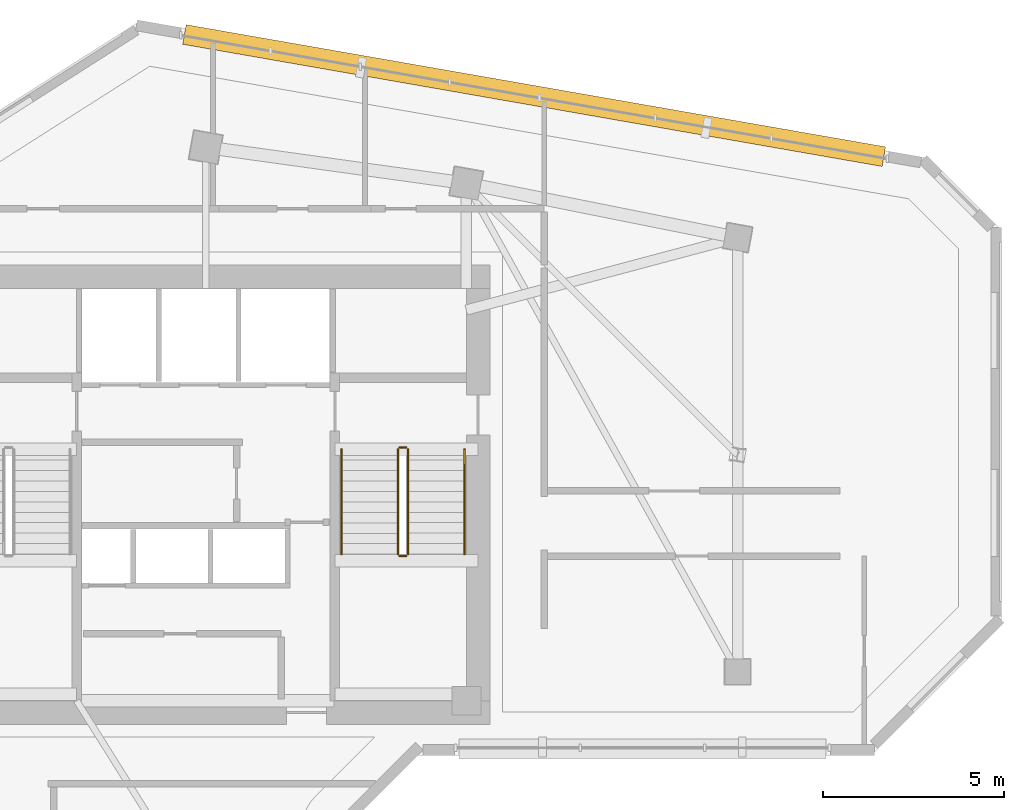
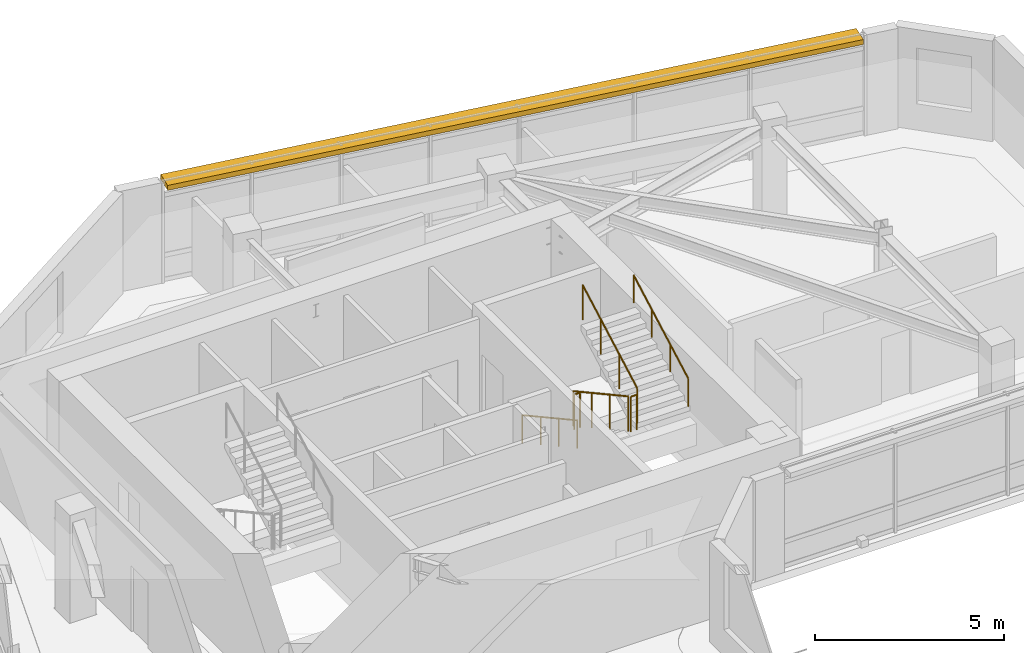
# One storey, part 9 of 9: 6 railings, 1 shading device.
"""IFC4 building model written with IfcOpenShell, lengths in metres."""

from ifc_helpers import new_model, si_unit, direction, frame, frame_2d, origin, origin_2d, place, context, subcontext, project, spatial, rectangle, circle, extrude, material, type_object, element, save


model = new_model("IFC4")

# Units and contexts
model_context = context("Model", 3, precision=1e-05, world=origin(), true_north=direction((0.0, 1.0)))
body_context = subcontext(model_context, "Body", "Model", "MODEL_VIEW")
ifc_project = project(units=[si_unit("LENGTHUNIT", "METRE"), si_unit("AREAUNIT", "SQUARE_METRE"), si_unit("VOLUMEUNIT", "CUBIC_METRE"), si_unit("PLANEANGLEUNIT", "RADIAN"), si_unit("MASSUNIT", "GRAM", prefix="KILO")], contexts=[model_context])

# Site, building, storey
site_placement = place(None, origin())
site = spatial("IfcSite", under=ifc_project, at=site_placement, CompositionType="ELEMENT")
building_placement = place(site_placement, origin())
building = spatial("IfcBuilding", under=site, at=building_placement, Name="Calvemar Wedge Station Tower", CompositionType="ELEMENT")
storey_placement = place(building_placement, frame((0.0, 0.0, 235.89990234375)))
storey = spatial("IfcBuildingStorey", under=building, at=storey_placement, Name="L60", CompositionType="ELEMENT", Elevation=235.89990234375)

# Railings
ifc_material_1 = material(Name="Stainless steel AISI 316L", Category="steel")
railing_type_1 = type_object("IfcRailingType", Name="RL-HANDRAIL-920", PredefinedType="HANDRAIL", material=ifc_material_1)
railing_1_placement = place(storey_placement, frame((27.550048828125, 41.14990234375, 0.1591796875)))
element("IfcRailing", 1, at=railing_1_placement, inside=storey, type_object=railing_type_1, Name="L60 ST-C2 stair handrail 1", PredefinedType="HANDRAIL", context=body_context, shape_type="SweptSolid", body=[
    extrude(circle(Radius=0.02392578125, at=origin_2d()), frame((0.0, 0.0, 0.89599609375), z_axis=(0.0, -0.876742130028, 0.480960744171), x_axis=(1.0, 0.0, 0.0)), (0.0, 0.0, 1.0), 3.3076171875),
    extrude(circle(Radius=0.02099609375, at=origin_2d()), origin(), (0.0, 0.0, 1.0), 0.871826171875),
    extrude(circle(Radius=0.02099609375, at=origin_2d()), frame((0.0, -0.966552734375, 0.5302734375)), (0.0, 0.0, 1.0), 0.871826171875),
    extrude(circle(Radius=0.02099609375, at=origin_2d()), frame((0.0, -1.933349609375, 1.060546875)), (0.0, 0.0, 1.0), 0.871826171875),
    extrude(circle(Radius=0.02099609375, at=origin_2d()), frame((0.0, -2.89990234375, 1.5908203125)), (0.0, 0.0, 1.0), 0.871826171875),
])
railing_2_placement = place(storey_placement, frame((30.949951171875, 38.25, 1.9091796875)))
element("IfcRailing", 2, at=railing_2_placement, inside=storey, type_object=railing_type_1, Name="L60 ST-C2 stair handrail 2", PredefinedType="HANDRAIL", context=body_context, shape_type="SweptSolid", body=[
    extrude(circle(Radius=0.02392578125, at=origin_2d()), frame((0.0, 0.0, 0.89599609375), z_axis=(0.0, 0.876742130028, 0.480960744171), x_axis=(-1.0, 0.0, 0.0)), (0.0, 0.0, 1.0), 3.3076171875),
    extrude(circle(Radius=0.02099609375, at=origin_2d()), origin(), (0.0, 0.0, 1.0), 0.871826171875),
    extrude(circle(Radius=0.02099609375, at=origin_2d()), frame((0.0, 0.966552734375, 0.5302734375)), (0.0, 0.0, 1.0), 0.871826171875),
    extrude(circle(Radius=0.02099609375, at=origin_2d()), frame((0.0, 1.933349609375, 1.060546875)), (0.0, 0.0, 1.0), 0.871826171875),
    extrude(circle(Radius=0.02099609375, at=origin_2d()), frame((0.0, 2.89990234375, 1.5908203125)), (0.0, 0.0, 1.0), 0.871826171875),
])
ifc_material_2 = material(Name="Painted steel guardrail ASTM A500 Grade C", Category="steel")
railing_type_2 = type_object("IfcRailingType", Name="RL-STAIR-GUARD-1150", PredefinedType="GUARDRAIL", material=ifc_material_2)
railing_3_placement = place(storey_placement, frame((29.110107421875, 41.14990234375, 0.1591796875)))
element("IfcRailing", 3, at=railing_3_placement, inside=storey, type_object=railing_type_2, Name="L60 ST-C2 stair guard 1", PredefinedType="GUARDRAIL", context=body_context, shape_type="SweptSolid", body=[
    extrude(circle(Radius=0.02392578125, at=origin_2d()), frame((0.0, 0.0, 1.1259765625), z_axis=(0.0, -0.876742130028, 0.480960744171), x_axis=(1.0, 0.0, 0.0)), (0.0, 0.0, 1.0), 3.3076171875),
    extrude(circle(Radius=0.02099609375, at=origin_2d()), origin(), (0.0, 0.0, 1.0), 1.101806640625),
    extrude(circle(Radius=0.02099609375, at=origin_2d()), frame((0.0, -0.966552734375, 0.5302734375)), (0.0, 0.0, 1.0), 1.101806640625),
    extrude(circle(Radius=0.02099609375, at=origin_2d()), frame((0.0, -1.933349609375, 1.060546875)), (0.0, 0.0, 1.0), 1.101806640625),
    extrude(circle(Radius=0.02099609375, at=origin_2d()), frame((0.0, -2.89990234375, 1.5908203125)), (0.0, 0.0, 1.0), 1.101806640625),
])
railing_4_placement = place(storey_placement, frame((29.159912109375, 38.199951171875, 1.75)))
element("IfcRailing", 4, at=railing_4_placement, inside=storey, type_object=railing_type_2, Name="L60 ST-C2 stair guard 2", PredefinedType="GUARDRAIL", context=body_context, shape_type="SweptSolid", body=[
    extrude(circle(Radius=0.02392578125, at=origin_2d()), frame((0.0, 0.0, 1.1259765625), z_axis=(1.0, 0.0, 0.0), x_axis=(0.0, 1.0, 0.0)), (0.0, 0.0, 1.0), 0.18017578125),
    extrude(circle(Radius=0.02099609375, at=origin_2d()), origin(), (0.0, 0.0, 1.0), 1.101806640625),
    extrude(circle(Radius=0.02099609375, at=origin_2d()), frame((0.18017578125, 0.0, 0.0)), (0.0, 0.0, 1.0), 1.101806640625),
])
railing_5_placement = place(storey_placement, frame((29.389892578125, 38.25, 1.9091796875)))
element("IfcRailing", 5, at=railing_5_placement, inside=storey, type_object=railing_type_2, Name="L60 ST-C2 stair guard 3", PredefinedType="GUARDRAIL", context=body_context, shape_type="SweptSolid", body=[
    extrude(circle(Radius=0.02392578125, at=origin_2d()), frame((0.0, 0.0, 1.1259765625), z_axis=(0.0, 0.876742130028, 0.480960744171), x_axis=(-1.0, 0.0, 0.0)), (0.0, 0.0, 1.0), 3.3076171875),
    extrude(circle(Radius=0.02099609375, at=origin_2d()), origin(), (0.0, 0.0, 1.0), 1.101806640625),
    extrude(circle(Radius=0.02099609375, at=origin_2d()), frame((0.0, 0.966552734375, 0.5302734375)), (0.0, 0.0, 1.0), 1.101806640625),
    extrude(circle(Radius=0.02099609375, at=origin_2d()), frame((0.0, 1.933349609375, 1.060546875)), (0.0, 0.0, 1.0), 1.101806640625),
    extrude(circle(Radius=0.02099609375, at=origin_2d()), frame((0.0, 2.89990234375, 1.5908203125)), (0.0, 0.0, 1.0), 1.101806640625),
])
railing_6_placement = place(storey_placement, frame((29.159912109375, 41.199951171875, 0.0)))
element("IfcRailing", 6, at=railing_6_placement, inside=storey, type_object=railing_type_2, Name="L60 ST-C2 stair guard 4", PredefinedType="GUARDRAIL", context=body_context, shape_type="SweptSolid", body=[
    extrude(circle(Radius=0.02392578125, at=origin_2d()), frame((0.0, 0.0, 1.1259765625), z_axis=(1.0, 0.0, 0.0), x_axis=(0.0, 1.0, 0.0)), (0.0, 0.0, 1.0), 0.18017578125),
    extrude(circle(Radius=0.02099609375, at=origin_2d()), origin(), (0.0, 0.0, 1.0), 1.101806640625),
    extrude(circle(Radius=0.02099609375, at=origin_2d()), frame((0.18017578125, 0.0, 0.0)), (0.0, 0.0, 1.0), 1.101806640625),
])

# Shading device
ifc_material_3 = material(Name="Precast concrete C45", Category="concrete")
shading_device_type = type_object("IfcShadingDeviceType", Name="SHD-EYEBROW-1", PredefinedType="SHUTTER", material=ifc_material_3)
shading_device_placement = place(storey_placement, frame((42.5419921875, 49.2392578125, 3.070068359375), z_axis=(0.0, 0.0, 1.0), x_axis=(-0.98508539267, 0.172066176654, 0.0)))
element("IfcShadingDevice", 7, at=shading_device_placement, inside=storey, type_object=shading_device_type, Name="Storey L60 Bronze GFRC Solar Eyebrow 10", PredefinedType="SHUTTER", context=body_context, shape_type="SweptSolid", body=[
    extrude(rectangle(XDim=19.62451171875, YDim=0.550048828125, at=frame_2d((9.812255859375, 0.0))), origin(), (0.0, 0.0, 1.0), 0.159912109375),
])

save(model, "model.ifc")
